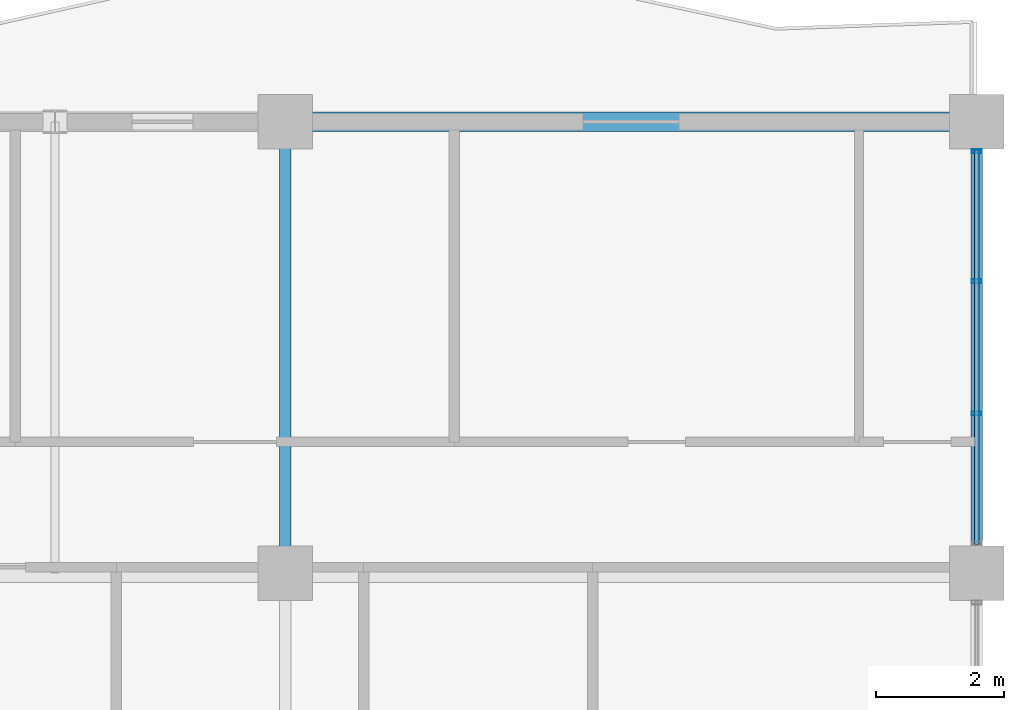
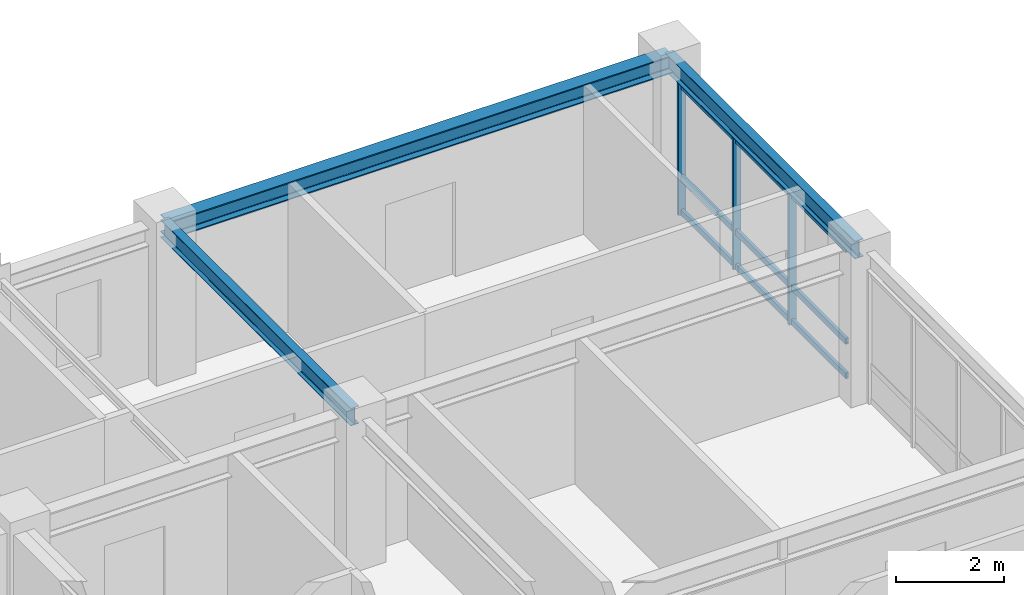
# One storey, part 4 of 10: 6 members, 3 beams, 1 element without a shape of its own.
"""IFC4 building model written with IfcOpenShell, lengths in metres."""

from ifc_helpers import new_model, si_unit, direction, frame, origin, origin_2d, place, context, subcontext, project, spatial, hollow_rectangle, i_section, extrude, source, transform, mapped, material, layer, layer_set, material_profile, profile_set, type_object, element, aggregate, save


model = new_model("IFC4")

# Units and contexts
model_context = context("Model", 3, precision=1e-05, world=origin(), true_north=direction((0.0, 1.0)))
body_context = subcontext(model_context, "Body", "Model", "MODEL_VIEW")
ifc_project = project(units=[si_unit("LENGTHUNIT", "METRE"), si_unit("AREAUNIT", "SQUARE_METRE"), si_unit("VOLUMEUNIT", "CUBIC_METRE"), si_unit("PLANEANGLEUNIT", "RADIAN"), si_unit("MASSUNIT", "GRAM", prefix="KILO")], contexts=[model_context])

# Site, building, storey
site_placement = place(None, origin())
site = spatial("IfcSite", under=ifc_project, at=site_placement, CompositionType="ELEMENT")
building_placement = place(site_placement, origin())
building = spatial("IfcBuilding", under=site, at=building_placement, Name="Kaliganga Portal Commons", CompositionType="ELEMENT")
storey_placement = place(building_placement, frame((0.0, 0.0, 294.300048828125)))
storey = spatial("IfcBuildingStorey", under=building, at=storey_placement, Name="L76", CompositionType="ELEMENT", Elevation=294.300048828125)

# Beams
ifc_material_1 = material(Name="Structural steel S355J2", Category="steel")
ifc_material_profile_1 = material_profile(ifc_material_1, i_section(OverallWidth=0.300048828125, OverallDepth=0.39990234375, WebThickness=0.013427734375, FlangeThickness=0.02392578125, FilletRadius=0.027099609375, at=origin_2d()), Name="HE 400 B")
ifc_profile_set_1 = profile_set([ifc_material_profile_1], Name="Structural steel S355J2 wide-flange")
beam_type_1 = type_object("IfcBeamType", Name="BM-SPAND-400", PredefinedType="SPANDREL", material=ifc_profile_set_1)
shared_shape_1 = source(origin(), body_context, "Body", "SweptSolid", [
    extrude(i_section(OverallWidth=0.300048828125, OverallDepth=0.39990234375, WebThickness=0.013427734375, FlangeThickness=0.02392578125, FilletRadius=0.027099609375, at=origin_2d()), origin(), (0.0, 0.0, 1.0), 10.800048828125),
])
beam_placement = place(storey_placement, frame((36.0, 43.199951171875, 3.199951171875), z_axis=(1.0, 0.0, 0.0), x_axis=(0.0, 1.0, 0.0)))
element("IfcBeam", 1, at=beam_placement, inside=storey, type_object=beam_type_1, Name="BM SP L76 AN 7", PredefinedType="SPANDREL", context=body_context, shape_type="MappedRepresentation", body=[
    mapped(shared_shape_1, transform((0.0, 0.0, 0.0), x_axis=(1.0, 0.0, 0.0), y_axis=(0.0, 1.0, 0.0), z_axis=(0.0, 0.0, 1.0), scale=1.0)),
])
ifc_material_profile_2 = material_profile(ifc_material_1, i_section(OverallWidth=0.179931640625, OverallDepth=0.39990234375, WebThickness=0.008544921875, FlangeThickness=0.013427734375, FilletRadius=0.02099609375, at=origin_2d()), Name="IPE 400")
ifc_profile_set_2 = profile_set([ifc_material_profile_2], Name="Structural steel S355J2 wide-flange")
beam_type_2 = type_object("IfcBeamType", Name="BM-FLR-400", PredefinedType="BEAM", material=ifc_profile_set_2)
shared_shape_2 = source(origin(), body_context, "Body", "SweptSolid", [
    extrude(i_section(OverallWidth=0.179931640625, OverallDepth=0.39990234375, WebThickness=0.008544921875, FlangeThickness=0.013427734375, FilletRadius=0.02099609375, at=origin_2d()), origin(), (0.0, 0.0, 1.0), 7.050048828125),
])
for number, where, z_axis, x_axis, name in (
    (2, (36.0, 36.14990234375, 3.199951171875), (0.0, 1.0, 0.0), (-1.0, 0.0, 0.0), "BM G L76 AN360"),
    (3, (46.800048828125, 36.14990234375, 3.199951171875), (0.0, 1.0, 0.0), (-1.0, 0.0, 0.0), "BM G L76 AN468"),
):
    element("IfcBeam", number, at=place(storey_placement, frame(where, z_axis=z_axis, x_axis=x_axis)), inside=storey, type_object=beam_type_2, Name=name, PredefinedType="BEAM", context=body_context, shape_type="MappedRepresentation", body=[
        mapped(shared_shape_2, transform((0.0, 0.0, 0.0), x_axis=(1.0, 0.0, 0.0), y_axis=(0.0, 1.0, 0.0), z_axis=(0.0, 0.0, 1.0), scale=1.0)),
    ])

# Curtain wall, members
ifc_material_2 = material(Name="Anodized Aluminium and Laminated Low-E Glass", Category="aluminium")
ifc_layer = layer(ifc_material_2, 0.18994140625)
ifc_layer_set = layer_set([ifc_layer], Name="Anodized Aluminium and Laminated Low-E Glass")
curtain_wall_type = type_object("IfcCurtainWallType", Name="CW-SYS-05", PredefinedType="NOTDEFINED", material=ifc_layer_set)
curtain_wall_placement = place(storey_placement, origin())
curtain_wall = element("IfcCurtainWall", 4, at=curtain_wall_placement, inside=storey, type_object=curtain_wall_type, Name="CW 05 L76 P1E01S3", PredefinedType="NOTDEFINED")
ifc_material_3 = material(Name="Dark Bronze Anodized Aluminium", Category="aluminium")
ifc_material_profile_3 = material_profile(ifc_material_3, hollow_rectangle(XDim=0.06494140625, YDim=0.135009765625, WallThickness=0.00341796875, at=origin_2d()), Name="ALU TRAN 65x135x3.5")
ifc_profile_set_3 = profile_set([ifc_material_profile_3], Name="Dark Bronze Anodized Aluminium")
member_type_1 = type_object("IfcMemberType", Name="CW-TRN-135", PredefinedType="USERDEFINED", material=ifc_profile_set_3)
shared_shape_3 = source(origin(), body_context, "Body", "SweptSolid", [
    extrude(hollow_rectangle(XDim=0.06494140625, YDim=0.135009765625, WallThickness=0.00341796875, at=origin_2d()), origin(), (0.0, 0.0, 1.0), 6.157958984375),
])
member_1_placement = place(storey_placement, frame((46.800048828125, 36.595947265625, 0.06005859375), z_axis=(0.0, 1.0, 0.0), x_axis=(-1.0, 0.0, 0.0)))
member_1 = element("IfcMember", 5, at=member_1_placement, type_object=member_type_1, Name="CW:05:L76:P1E01S3 Transom 1", ObjectType="TRANSOM", PredefinedType="USERDEFINED", context=body_context, shape_type="MappedRepresentation", body=[
    mapped(shared_shape_3, transform((0.0, 0.0, 0.0), x_axis=(1.0, 0.0, 0.0), y_axis=(0.0, 1.0, 0.0), z_axis=(0.0, 0.0, 1.0), scale=1.0)),
])
member_2_placement = place(storey_placement, frame((46.800048828125, 36.595947265625, 0.83984375), z_axis=(0.0, 1.0, 0.0), x_axis=(-1.0, 0.0, 0.0)))
member_2 = element("IfcMember", 6, at=member_2_placement, type_object=member_type_1, Name="CW:05:L76:P1E01S3 Transom 2", ObjectType="TRANSOM", PredefinedType="USERDEFINED", context=body_context, shape_type="MappedRepresentation", body=[
    mapped(shared_shape_3, transform((0.0, 0.0, 0.0), x_axis=(1.0, 0.0, 0.0), y_axis=(0.0, 1.0, 0.0), z_axis=(0.0, 0.0, 1.0), scale=1.0)),
])
member_3_placement = place(storey_placement, frame((46.800048828125, 36.595947265625, 2.919921875), z_axis=(0.0, 1.0, 0.0), x_axis=(-1.0, 0.0, 0.0)))
member_3 = element("IfcMember", 7, at=member_3_placement, type_object=member_type_1, Name="CW:05:L76:P1E01S3 Transom 3", ObjectType="TRANSOM", PredefinedType="USERDEFINED", context=body_context, shape_type="MappedRepresentation", body=[
    mapped(shared_shape_3, transform((0.0, 0.0, 0.0), x_axis=(1.0, 0.0, 0.0), y_axis=(0.0, 1.0, 0.0), z_axis=(0.0, 0.0, 1.0), scale=1.0)),
])
ifc_material_profile_4 = material_profile(ifc_material_3, hollow_rectangle(XDim=0.06005859375, YDim=0.159912109375, WallThickness=0.00341796875, at=origin_2d()), Name="ALU MULL 60x160x3.5")
ifc_profile_set_4 = profile_set([ifc_material_profile_4], Name="Dark Bronze Anodized Aluminium")
member_type_2 = type_object("IfcMemberType", Name="CW-MUL-160", PredefinedType="MULLION", material=ifc_profile_set_4)
shared_shape_4 = source(origin(), body_context, "Body", "SweptSolid", [
    extrude(hollow_rectangle(XDim=0.06005859375, YDim=0.159912109375, WallThickness=0.00341796875, at=origin_2d()), origin(), (0.0, 0.0, 1.0), 3.0),
])
member_4_placement = place(storey_placement, frame((46.800048828125, 38.64208984375, 0.0), z_axis=(0.0, 0.0, 1.0), x_axis=(0.0, 1.0, 0.0)))
member_4 = element("IfcMember", 8, at=member_4_placement, type_object=member_type_2, Name="CW:05:L76:P1E01S3 Mullion 01", PredefinedType="MULLION", context=body_context, shape_type="MappedRepresentation", body=[
    mapped(shared_shape_4, transform((0.0, 0.0, 0.0), x_axis=(1.0, 0.0, 0.0), y_axis=(0.0, 1.0, 0.0), z_axis=(0.0, 0.0, 1.0), scale=1.0)),
])
member_5_placement = place(storey_placement, frame((46.800048828125, 40.7080078125, 0.0), z_axis=(0.0, 0.0, 1.0), x_axis=(0.0, 1.0, 0.0)))
member_5 = element("IfcMember", 9, at=member_5_placement, type_object=member_type_2, Name="CW:05:L76:P1E01S3 Mullion 02", PredefinedType="MULLION", context=body_context, shape_type="MappedRepresentation", body=[
    mapped(shared_shape_4, transform((0.0, 0.0, 0.0), x_axis=(1.0, 0.0, 0.0), y_axis=(0.0, 1.0, 0.0), z_axis=(0.0, 0.0, 1.0), scale=1.0)),
])
member_6_placement = place(storey_placement, frame((46.800048828125, 42.739013671875, 0.0), z_axis=(0.0, 0.0, 1.0), x_axis=(0.0, 1.0, 0.0)))
member_6 = element("IfcMember", 10, at=member_6_placement, type_object=member_type_2, Name="CW:05:L76:P1E01S3 Mullion 03", PredefinedType="MULLION", context=body_context, shape_type="MappedRepresentation", body=[
    mapped(shared_shape_4, transform((0.0, 0.0, 0.0), x_axis=(1.0, 0.0, 0.0), y_axis=(0.0, 1.0, 0.0), z_axis=(0.0, 0.0, 1.0), scale=1.0)),
])
aggregate(curtain_wall, [member_4, member_5, member_6, member_1, member_2, member_3])

save(model, "model.ifc")
